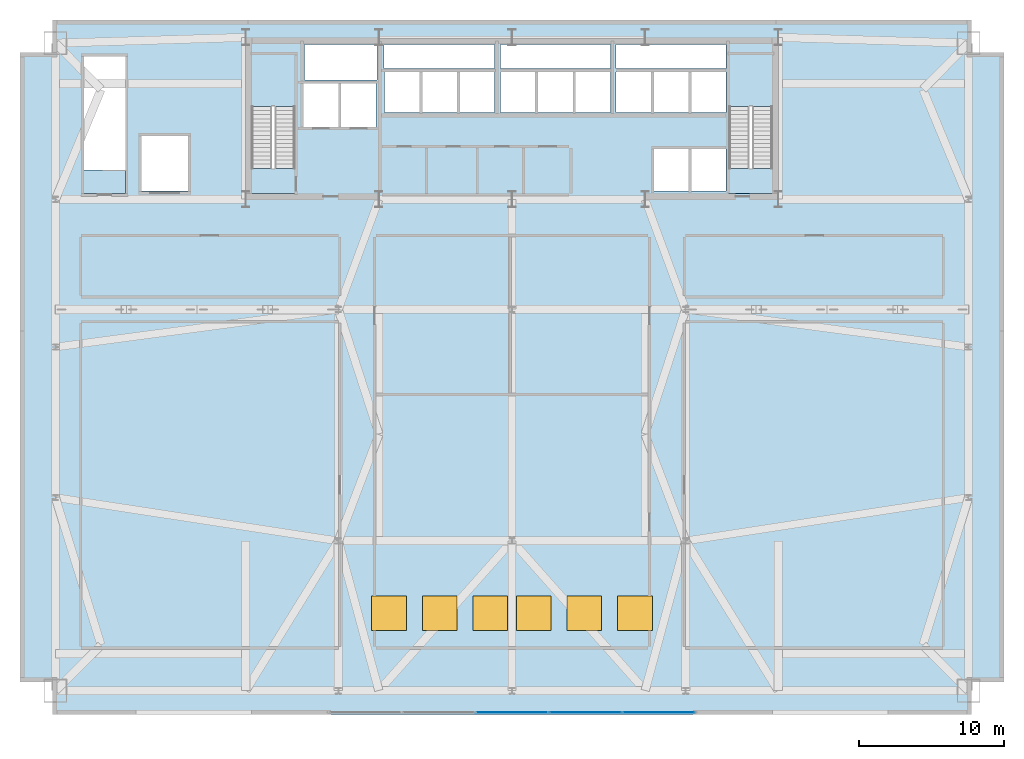
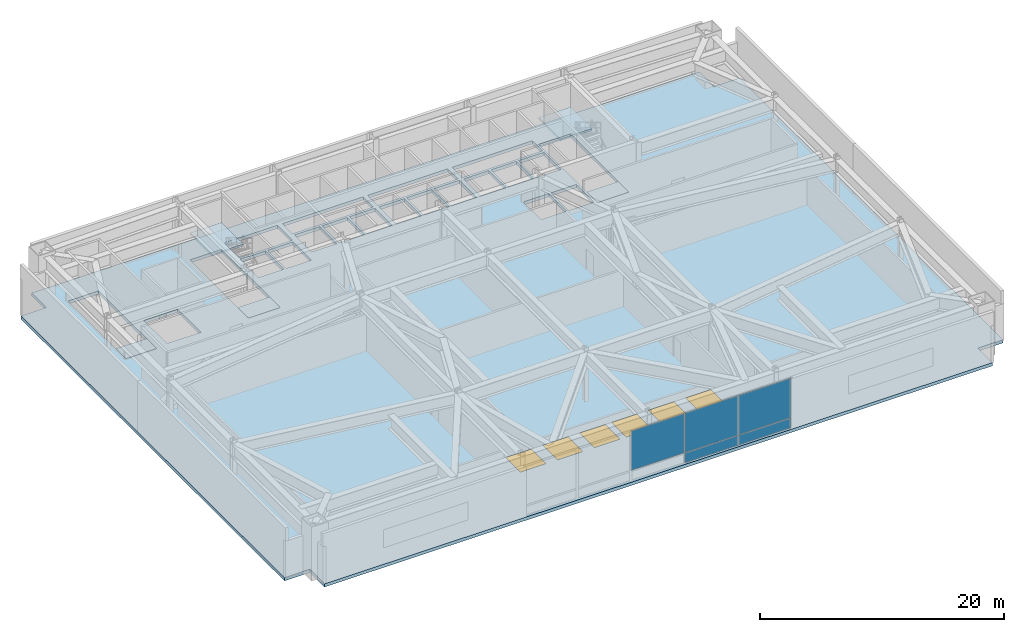
# One storey, part 9 of 16: 6 slabs, 6 windows, 5 plates, 6 openings, 3 elements without a shape of their own.
"""IFC4 building model written with IfcOpenShell, lengths in metres."""

from ifc_helpers import new_model, si_unit, direction, frame, origin, origin_2d, place, context, subcontext, project, spatial, polyline, rectangle, outline, extrude, source, transform, mapped, material, layer, layer_set, type_object, type_shapes, element, fill, aggregate, save


model = new_model("IFC4")

# Units and contexts
model_context = context("Model", 3, precision=1e-05, world=origin(), true_north=direction((0.0, 1.0)))
body_context = subcontext(model_context, "Body", "Model", "MODEL_VIEW")
ifc_project = project(units=[si_unit("LENGTHUNIT", "METRE"), si_unit("AREAUNIT", "SQUARE_METRE"), si_unit("VOLUMEUNIT", "CUBIC_METRE"), si_unit("PLANEANGLEUNIT", "RADIAN"), si_unit("MASSUNIT", "GRAM", prefix="KILO")], contexts=[model_context])

# Site, building, storey
site_placement = place(None, origin())
site = spatial("IfcSite", under=ifc_project, at=site_placement, CompositionType="ELEMENT")
building_placement = place(site_placement, origin())
building = spatial("IfcBuilding", under=site, at=building_placement, Name="Varnel Quay Broadcast Tower", CompositionType="ELEMENT")
storey_placement = place(building_placement, frame((0.0, 0.0, 22.199951171875)))
storey = spatial("IfcBuildingStorey", under=building, at=storey_placement, Name="L04", CompositionType="ELEMENT", Elevation=22.199951171875)

# Slab, openings, windows
ifc_material_1 = material(Name="Concrete CSA A23.3 C50/60", Category="concrete")
ifc_layer_1 = layer(ifc_material_1, 0.320068359375, Name="Concrete CSA A23.3 C50/60")
ifc_layer_set_1 = layer_set([ifc_layer_1], Name="Concrete CSA A23.3 C50/60")
slab_type_1 = type_object("IfcSlabType", Name="Slab_Floor320", PredefinedType="FLOOR", material=ifc_layer_set_1)
slab_1_placement = place(storey_placement, frame((0.0, 0.0, -0.320068359375)))
slab_1 = element("IfcSlab", 1, at=slab_1_placement, inside=storey, type_object=slab_type_1, Name="L04 Structural Slab", PredefinedType="FLOOR", context=body_context, shape_type="SweptSolid", body=[
    extrude(outline(polyline([(2.39990234375, 0.0), (65.60009765625, 0.0), (65.60009765625, 2.39990234375), (68.0, 2.39990234375), (68.0, 45.60009765625), (65.60009765625, 45.60009765625), (65.60009765625, 48.0), (2.39990234375, 48.0), (2.39990234375, 45.60009765625), (0.0, 45.60009765625), (0.0, 2.39990234375), (2.39990234375, 2.39990234375), (2.39990234375, 0.0)]), holes=[polyline([(8.39990234375, 40.0), (11.60009765625, 40.0), (11.60009765625, 36.199951171875), (8.39990234375, 36.199951171875), (8.39990234375, 40.0)]), polyline([(4.39990234375, 36.0), (4.39990234375, 45.5), (7.300048828125, 45.5), (7.300048828125, 36.0), (4.39990234375, 36.0)]), polyline([(16.0, 36.0), (16.0, 45.60009765625), (19.0, 45.60009765625), (19.0, 36.0), (16.0, 36.0)]), polyline([(22.0, 43.60009765625), (22.0, 40.60009765625), (19.60009765625, 40.60009765625), (19.60009765625, 43.60009765625), (22.0, 43.60009765625)]), polyline([(24.60009765625, 43.60009765625), (24.60009765625, 40.60009765625), (22.199951171875, 40.60009765625), (22.199951171875, 43.60009765625), (24.60009765625, 43.60009765625)]), polyline([(25.199951171875, 44.39990234375), (27.60009765625, 44.39990234375), (27.60009765625, 41.60009765625), (25.199951171875, 41.60009765625), (25.199951171875, 44.39990234375)]), polyline([(27.800048828125, 44.39990234375), (30.199951171875, 44.39990234375), (30.199951171875, 41.60009765625), (27.800048828125, 41.60009765625), (27.800048828125, 44.39990234375)]), polyline([(30.39990234375, 44.39990234375), (32.800048828125, 44.39990234375), (32.800048828125, 41.60009765625), (30.39990234375, 41.60009765625), (30.39990234375, 44.39990234375)]), polyline([(35.60009765625, 44.39990234375), (35.60009765625, 41.60009765625), (33.199951171875, 41.60009765625), (33.199951171875, 44.39990234375), (35.60009765625, 44.39990234375)]), polyline([(24.679931640625, 46.300048828125), (24.679931640625, 43.85009765625), (19.64990234375, 43.85009765625), (19.64990234375, 46.300048828125), (24.679931640625, 46.300048828125)]), polyline([(25.14990234375, 46.300048828125), (32.800048828125, 46.300048828125), (32.800048828125, 44.64990234375), (25.14990234375, 44.64990234375), (25.14990234375, 46.300048828125)]), polyline([(43.800048828125, 39.10009765625), (46.199951171875, 39.10009765625), (46.199951171875, 36.199951171875), (43.800048828125, 36.199951171875), (43.800048828125, 39.10009765625)]), polyline([(46.39990234375, 39.10009765625), (48.800048828125, 39.10009765625), (48.800048828125, 36.199951171875), (46.39990234375, 36.199951171875), (46.39990234375, 39.10009765625)]), polyline([(49.0, 45.60009765625), (52.0, 45.60009765625), (52.0, 36.0), (49.0, 36.0), (49.0, 45.60009765625)]), polyline([(38.199951171875, 44.39990234375), (38.199951171875, 41.60009765625), (35.800048828125, 41.60009765625), (35.800048828125, 44.39990234375), (38.199951171875, 44.39990234375)]), polyline([(38.39990234375, 44.39990234375), (40.800048828125, 44.39990234375), (40.800048828125, 41.60009765625), (38.39990234375, 41.60009765625), (38.39990234375, 44.39990234375)]), polyline([(43.60009765625, 44.39990234375), (43.60009765625, 41.60009765625), (41.199951171875, 41.60009765625), (41.199951171875, 44.39990234375), (43.60009765625, 44.39990234375)]), polyline([(46.199951171875, 44.39990234375), (46.199951171875, 41.60009765625), (43.800048828125, 41.60009765625), (43.800048828125, 44.39990234375), (46.199951171875, 44.39990234375)]), polyline([(46.39990234375, 44.39990234375), (48.800048828125, 44.39990234375), (48.800048828125, 41.60009765625), (46.39990234375, 41.60009765625), (46.39990234375, 44.39990234375)]), polyline([(40.800048828125, 46.300048828125), (40.800048828125, 44.64990234375), (33.199951171875, 44.64990234375), (33.199951171875, 46.300048828125), (40.800048828125, 46.300048828125)]), polyline([(48.800048828125, 46.300048828125), (48.800048828125, 44.64990234375), (41.199951171875, 44.64990234375), (41.199951171875, 46.300048828125), (48.800048828125, 46.300048828125)])]), origin(), (0.0, 0.0, 1.0), 0.320068359375),
])
opening_1_placement = place(slab_1_placement, frame((25.5, 7.0, 0.0)))
opening_1 = element("IfcOpeningElement", 2, at=opening_1_placement, cuts=slab_1, Name="Opening SK-01", PredefinedType="OPENING", context=body_context, shape_type="SweptSolid", body=[
    extrude(rectangle(XDim=2.39990234375, YDim=2.39990234375, at=origin_2d()), frame((0.0, 0.0, -0.010009765625)), (0.0, 0.0, 1.0), 0.340087890625),
])
opening_2_placement = place(slab_1_placement, frame((29.0, 7.0, 0.0)))
opening_2 = element("IfcOpeningElement", 3, at=opening_2_placement, cuts=slab_1, Name="Opening SK-01", PredefinedType="OPENING", context=body_context, shape_type="SweptSolid", body=[
    extrude(rectangle(XDim=2.39990234375, YDim=2.39990234375, at=origin_2d()), frame((0.0, 0.0, -0.010009765625)), (0.0, 0.0, 1.0), 0.340087890625),
])
opening_3_placement = place(slab_1_placement, frame((32.5, 7.0, 0.0)))
opening_3 = element("IfcOpeningElement", 4, at=opening_3_placement, cuts=slab_1, Name="Opening SK-01", PredefinedType="OPENING", context=body_context, shape_type="SweptSolid", body=[
    extrude(rectangle(XDim=2.39990234375, YDim=2.39990234375, at=origin_2d()), frame((0.0, 0.0, -0.010009765625)), (0.0, 0.0, 1.0), 0.340087890625),
])
opening_4_placement = place(slab_1_placement, frame((35.5, 7.0, 0.0)))
opening_4 = element("IfcOpeningElement", 5, at=opening_4_placement, cuts=slab_1, Name="Opening SK-01", PredefinedType="OPENING", context=body_context, shape_type="SweptSolid", body=[
    extrude(rectangle(XDim=2.39990234375, YDim=2.39990234375, at=origin_2d()), frame((0.0, 0.0, -0.010009765625)), (0.0, 0.0, 1.0), 0.340087890625),
])
opening_5_placement = place(slab_1_placement, frame((39.0, 7.0, 0.0)))
opening_5 = element("IfcOpeningElement", 6, at=opening_5_placement, cuts=slab_1, Name="Opening SK-01", PredefinedType="OPENING", context=body_context, shape_type="SweptSolid", body=[
    extrude(rectangle(XDim=2.39990234375, YDim=2.39990234375, at=origin_2d()), frame((0.0, 0.0, -0.010009765625)), (0.0, 0.0, 1.0), 0.340087890625),
])
opening_6_placement = place(slab_1_placement, frame((42.5, 7.0, 0.0)))
opening_6 = element("IfcOpeningElement", 7, at=opening_6_placement, cuts=slab_1, Name="Opening SK-01", PredefinedType="OPENING", context=body_context, shape_type="SweptSolid", body=[
    extrude(rectangle(XDim=2.39990234375, YDim=2.39990234375, at=origin_2d()), frame((0.0, 0.0, -0.010009765625)), (0.0, 0.0, 1.0), 0.340087890625),
])
ifc_material_2 = material(Name="Triple-Glazed Clear High-Vision Low-E Glass", Category="glass")
window_type = type_object("IfcWindowType", Name="Win_ForumSkylight", PartitioningType="SINGLE_PANEL", PredefinedType="SKYLIGHT", material=ifc_material_2)
window_1_placement = place(opening_1_placement, frame((0.0, 0.0, 0.27001953125)))
window_1 = element("IfcWindow", 8, at=window_1_placement, inside=storey, type_object=window_type, Name="Podium Forum Skylight 1", OverallHeight=2.39990234375, OverallWidth=2.39990234375, PartitioningType="SINGLE_PANEL", PredefinedType="SKYLIGHT", context=body_context, shape_type="SweptSolid", body=[
    extrude(rectangle(XDim=2.39990234375, YDim=2.39990234375, at=origin_2d()), origin(), (0.0, 0.0, 1.0), 0.050048828125),
])
fill(opening_1, window_1)
window_2_placement = place(opening_2_placement, frame((0.0, 0.0, 0.27001953125)))
window_2 = element("IfcWindow", 9, at=window_2_placement, inside=storey, type_object=window_type, Name="Podium Forum Skylight 2", OverallHeight=2.39990234375, OverallWidth=2.39990234375, PartitioningType="SINGLE_PANEL", PredefinedType="SKYLIGHT", context=body_context, shape_type="SweptSolid", body=[
    extrude(rectangle(XDim=2.39990234375, YDim=2.39990234375, at=origin_2d()), origin(), (0.0, 0.0, 1.0), 0.050048828125),
])
fill(opening_2, window_2)
window_3_placement = place(opening_3_placement, frame((0.0, 0.0, 0.27001953125)))
window_3 = element("IfcWindow", 10, at=window_3_placement, inside=storey, type_object=window_type, Name="Podium Forum Skylight 3", OverallHeight=2.39990234375, OverallWidth=2.39990234375, PartitioningType="SINGLE_PANEL", PredefinedType="SKYLIGHT", context=body_context, shape_type="SweptSolid", body=[
    extrude(rectangle(XDim=2.39990234375, YDim=2.39990234375, at=origin_2d()), origin(), (0.0, 0.0, 1.0), 0.050048828125),
])
fill(opening_3, window_3)
window_4_placement = place(opening_4_placement, frame((0.0, 0.0, 0.27001953125)))
window_4 = element("IfcWindow", 11, at=window_4_placement, inside=storey, type_object=window_type, Name="Podium Forum Skylight 4", OverallHeight=2.39990234375, OverallWidth=2.39990234375, PartitioningType="SINGLE_PANEL", PredefinedType="SKYLIGHT", context=body_context, shape_type="SweptSolid", body=[
    extrude(rectangle(XDim=2.39990234375, YDim=2.39990234375, at=origin_2d()), origin(), (0.0, 0.0, 1.0), 0.050048828125),
])
fill(opening_4, window_4)
window_5_placement = place(opening_5_placement, frame((0.0, 0.0, 0.27001953125)))
window_5 = element("IfcWindow", 12, at=window_5_placement, inside=storey, type_object=window_type, Name="Podium Forum Skylight 5", OverallHeight=2.39990234375, OverallWidth=2.39990234375, PartitioningType="SINGLE_PANEL", PredefinedType="SKYLIGHT", context=body_context, shape_type="SweptSolid", body=[
    extrude(rectangle(XDim=2.39990234375, YDim=2.39990234375, at=origin_2d()), origin(), (0.0, 0.0, 1.0), 0.050048828125),
])
fill(opening_5, window_5)
window_6_placement = place(opening_6_placement, frame((0.0, 0.0, 0.27001953125)))
window_6 = element("IfcWindow", 13, at=window_6_placement, inside=storey, type_object=window_type, Name="Podium Forum Skylight 6", OverallHeight=2.39990234375, OverallWidth=2.39990234375, PartitioningType="SINGLE_PANEL", PredefinedType="SKYLIGHT", context=body_context, shape_type="SweptSolid", body=[
    extrude(rectangle(XDim=2.39990234375, YDim=2.39990234375, at=origin_2d()), origin(), (0.0, 0.0, 1.0), 0.050048828125),
])
fill(opening_6, window_6)

# Slabs
ifc_layer_2 = layer(ifc_material_1, 0.25, Name="Concrete CSA A23.3 C50/60")
ifc_layer_set_2 = layer_set([ifc_layer_2], Name="Concrete CSA A23.3 C50/60")
slab_type_2 = type_object("IfcSlabType", Name="Slab_StairFloorLanding250", PredefinedType="FLOOR", material=ifc_layer_set_2)
slab_2_placement = place(storey_placement, frame((0.0, 0.0, -0.320068359375)))
element("IfcSlab", 14, at=slab_2_placement, inside=storey, type_object=slab_type_2, Name="L04 ST-01 Structural Floor Landing Slab", PredefinedType="FLOOR", context=body_context, shape_type="SweptSolid", body=[
    extrude(outline(polyline([(19.0, 36.0), (19.0, 37.75), (16.0, 37.75), (16.0, 36.0), (19.0, 36.0)])), origin(), (0.0, 0.0, 1.0), 0.320068359375),
])
slab_3_placement = place(storey_placement, frame((0.0, 0.0, -0.320068359375)))
element("IfcSlab", 15, at=slab_3_placement, inside=storey, type_object=slab_type_2, Name="L04 ST-02 Structural Floor Landing Slab", PredefinedType="FLOOR", context=body_context, shape_type="SweptSolid", body=[
    extrude(outline(polyline([(52.0, 36.0), (52.0, 37.75), (49.0, 37.75), (49.0, 36.0), (52.0, 36.0)])), origin(), (0.0, 0.0, 1.0), 0.320068359375),
])
slab_4_placement = place(storey_placement, frame((0.0, 0.0, -0.320068359375)))
element("IfcSlab", 16, at=slab_4_placement, inside=storey, type_object=slab_type_2, Name="L04 ST-03 Structural Floor Landing Slab", PredefinedType="FLOOR", context=body_context, shape_type="SweptSolid", body=[
    extrude(outline(polyline([(7.300048828125, 36.0), (7.300048828125, 37.64990234375), (4.39990234375, 37.64990234375), (4.39990234375, 36.0), (7.300048828125, 36.0)])), origin(), (0.0, 0.0, 1.0), 0.320068359375),
])

# Stair, slab
ifc_material_3 = material(Name="Precast Structural Concrete C40/50", Category="concrete")
stair_type_1 = type_object("IfcStairType", Name="Stair_ST-01", PredefinedType="HALF_TURN_STAIR", material=ifc_material_3)
stair_1_placement = place(storey_placement, origin())
stair_1 = element("IfcStair", 17, at=stair_1_placement, inside=storey, type_object=stair_type_1, Name="L04 West Core Exit Stair 1", PredefinedType="HALF_TURN_STAIR")
ifc_layer_3 = layer(ifc_material_3, 0.199951171875, Name="Precast Structural Concrete C40/50")
ifc_layer_set_3 = layer_set([ifc_layer_3], Name="Precast Structural Concrete C40/50")
slab_type_3 = type_object("IfcSlabType", Name="Slab_StairLanding200", PredefinedType="LANDING", material=ifc_layer_set_3)
slab_5_placement = place(storey_placement, frame((0.0, 0.0, 2.5)))
slab_5 = element("IfcSlab", 18, at=slab_5_placement, type_object=slab_type_3, Name="ST-01 landing 1", PredefinedType="LANDING", context=body_context, shape_type="SweptSolid", body=[
    extrude(outline(polyline([(19.0, 42.02490234375), (19.0, 45.60009765625), (16.0, 45.60009765625), (16.0, 42.02490234375), (19.0, 42.02490234375)])), origin(), (0.0, 0.0, 1.0), 0.199951171875),
])
aggregate(stair_1, [slab_5])

stair_type_2 = type_object("IfcStairType", Name="Stair_ST-02", PredefinedType="HALF_TURN_STAIR", material=ifc_material_3)
stair_2_placement = place(storey_placement, origin())
stair_2 = element("IfcStair", 19, at=stair_2_placement, inside=storey, type_object=stair_type_2, Name="L04 East Core Exit Stair 2", PredefinedType="HALF_TURN_STAIR")
slab_6_placement = place(storey_placement, frame((0.0, 0.0, 2.5)))
slab_6 = element("IfcSlab", 20, at=slab_6_placement, type_object=slab_type_3, Name="ST-02 landing 1", PredefinedType="LANDING", context=body_context, shape_type="SweptSolid", body=[
    extrude(outline(polyline([(52.0, 42.02490234375), (52.0, 45.60009765625), (49.0, 45.60009765625), (49.0, 42.02490234375), (52.0, 42.02490234375)])), origin(), (0.0, 0.0, 1.0), 0.199951171875),
])
aggregate(stair_2, [slab_6])

# Curtain wall, plates
ifc_material_4 = material(Name="Anodised Bronze Aluminium 6063-T6", Category="aluminium")
ifc_layer_4 = layer(ifc_material_4, 0.18994140625, Name="Anodised Bronze Aluminium 6063-T6")
ifc_layer_set_4 = layer_set([ifc_layer_4], Name="Anodised Bronze Aluminium 6063-T6")
curtain_wall_type = type_object("IfcCurtainWallType", Name="CW_PodiumForum", PredefinedType="NOTDEFINED", material=ifc_layer_set_4)
curtain_wall_placement = place(storey_placement, origin())
curtain_wall = element("IfcCurtainWall", 21, at=curtain_wall_placement, inside=storey, type_object=curtain_wall_type, Name="L04 Waterfront Forum Curtain Wall", PredefinedType="NOTDEFINED")
ifc_layer_5 = layer(ifc_material_2, 0.035888671875, Name="Triple-Glazed Clear High-Vision Low-E Glass")
ifc_layer_set_5 = layer_set([ifc_layer_5], Name="Triple-Glazed Clear High-Vision Low-E Glass")
plate_type = type_object("IfcPlateType", Name="Panel_CWS-01", PredefinedType="CURTAIN_PANEL", material=ifc_layer_set_5)
shared_shape_1 = source(origin(), body_context, "Body", "SweptSolid", [
    extrude(rectangle(XDim=4.967529296875, YDim=0.035888671875, at=origin_2d()), origin(), (0.0, 0.0, 1.0), 0.952392578125),
])
plate_1_placement = place(storey_placement, frame((44.141357421875, 0.14990234375, 0.06494140625), z_axis=(0.0, 0.0, 1.0), x_axis=(1.0, 0.0, 0.0)))
plate_1 = element("IfcPlate", 22, at=plate_1_placement, type_object=plate_type, Name="CWS-01 panel 5.1", PredefinedType="CURTAIN_PANEL", context=body_context, shape_type="MappedRepresentation", body=[
    mapped(shared_shape_1, transform((0.0, 0.0, 0.0), x_axis=(1.0, 0.0, 0.0), y_axis=(0.0, 1.0, 0.0), z_axis=(0.0, 0.0, 1.0), scale=1.0)),
])
shared_shape_2 = source(origin(), body_context, "Body", "SweptSolid", [
    extrude(rectangle(XDim=5.0048828125, YDim=0.035888671875, at=origin_2d()), origin(), (0.0, 0.0, 1.0), 0.952392578125),
])
plate_2_placement = place(storey_placement, frame((39.080078125, 0.14990234375, 0.06494140625), z_axis=(0.0, 0.0, 1.0), x_axis=(1.0, 0.0, 0.0)))
plate_2 = element("IfcPlate", 23, at=plate_2_placement, type_object=plate_type, Name="CWS-01 panel 4.1", PredefinedType="CURTAIN_PANEL", context=body_context, shape_type="MappedRepresentation", body=[
    mapped(shared_shape_2, transform((0.0, 0.0, 0.0), x_axis=(1.0, 0.0, 0.0), y_axis=(0.0, 1.0, 0.0), z_axis=(0.0, 0.0, 1.0), scale=1.0)),
])
shared_shape_3 = source(origin(), body_context, "Body", "SweptSolid", [
    extrude(rectangle(XDim=4.967529296875, YDim=0.035888671875, at=origin_2d()), origin(), (0.0, 0.0, 1.0), 3.9326171875),
])
plate_3_placement = place(storey_placement, frame((44.141357421875, 0.14990234375, 1.08251953125), z_axis=(0.0, 0.0, 1.0), x_axis=(1.0, 0.0, 0.0)))
plate_3 = element("IfcPlate", 24, at=plate_3_placement, type_object=plate_type, Name="CWS-01 panel 5.2", PredefinedType="CURTAIN_PANEL", context=body_context, shape_type="MappedRepresentation", body=[
    mapped(shared_shape_3, transform((0.0, 0.0, 0.0), x_axis=(1.0, 0.0, 0.0), y_axis=(0.0, 1.0, 0.0), z_axis=(0.0, 0.0, 1.0), scale=1.0)),
])
shared_shape_4 = source(origin(), body_context, "Body", "SweptSolid", [
    extrude(rectangle(XDim=5.0048828125, YDim=0.035888671875, at=origin_2d()), origin(), (0.0, 0.0, 1.0), 3.9326171875),
])
type_shapes(plate_type, [shared_shape_1, shared_shape_2, shared_shape_3, shared_shape_4])
plate_4_placement = place(storey_placement, frame((34.0, 0.14990234375, 1.08251953125), z_axis=(0.0, 0.0, 1.0), x_axis=(1.0, 0.0, 0.0)))
plate_4 = element("IfcPlate", 25, at=plate_4_placement, type_object=plate_type, Name="CWS-01 panel 3.2", PredefinedType="CURTAIN_PANEL", context=body_context, shape_type="MappedRepresentation", body=[
    mapped(shared_shape_4, transform((0.0, 0.0, 0.0), x_axis=(1.0, 0.0, 0.0), y_axis=(0.0, 1.0, 0.0), z_axis=(0.0, 0.0, 1.0), scale=1.0)),
])
plate_5_placement = place(storey_placement, frame((39.080078125, 0.14990234375, 1.08251953125), z_axis=(0.0, 0.0, 1.0), x_axis=(1.0, 0.0, 0.0)))
plate_5 = element("IfcPlate", 26, at=plate_5_placement, type_object=plate_type, Name="CWS-01 panel 4.2", PredefinedType="CURTAIN_PANEL", context=body_context, shape_type="MappedRepresentation", body=[
    mapped(shared_shape_4, transform((0.0, 0.0, 0.0), x_axis=(1.0, 0.0, 0.0), y_axis=(0.0, 1.0, 0.0), z_axis=(0.0, 0.0, 1.0), scale=1.0)),
])
aggregate(curtain_wall, [plate_4, plate_2, plate_5, plate_1, plate_3])

save(model, "model.ifc")
